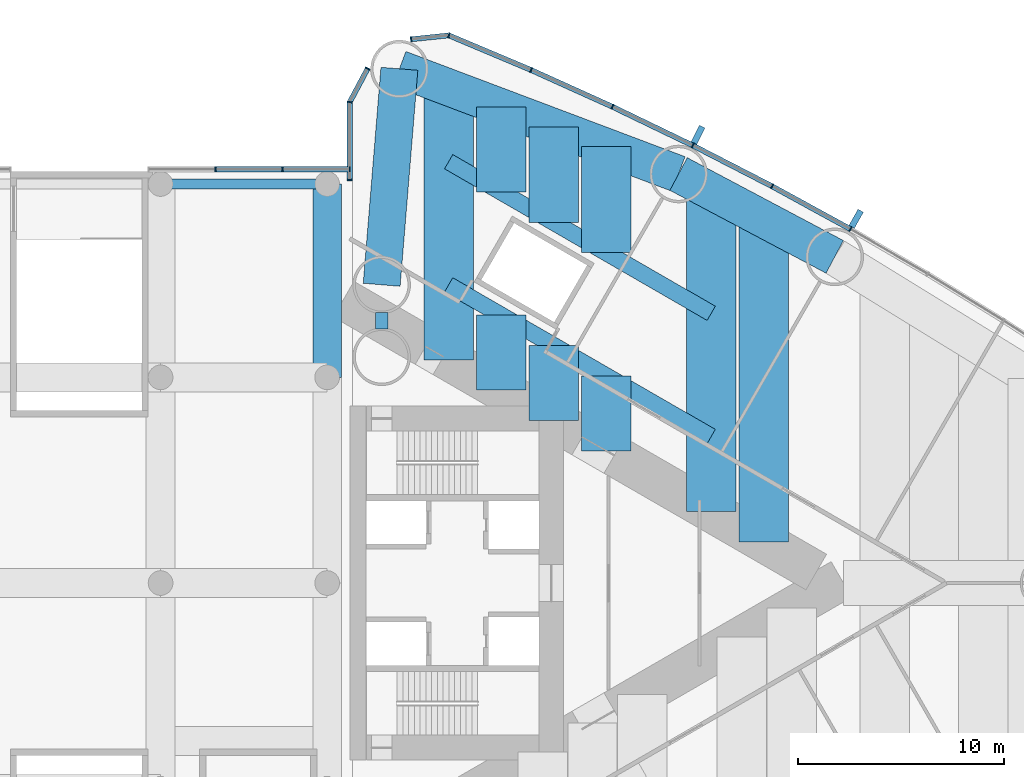
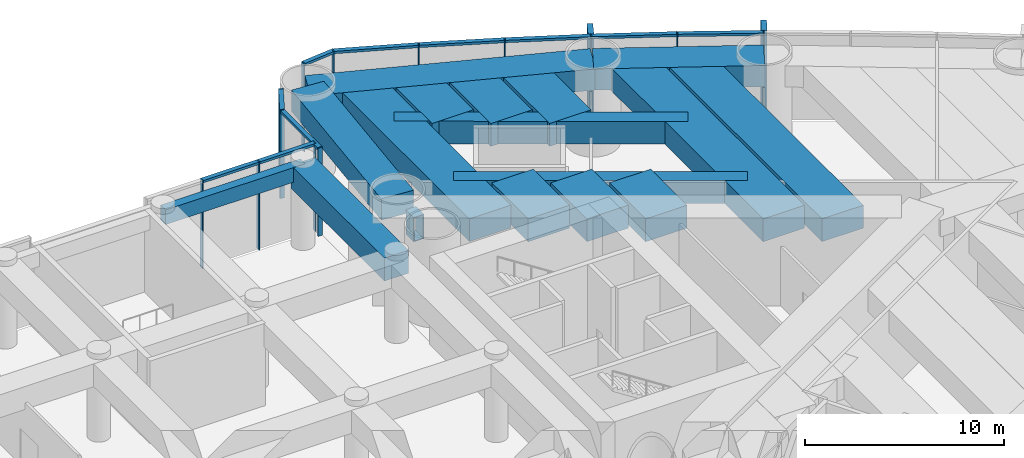
# One storey, part 10 of 20: 25 members, 17 beams, 3 elements without a shape of their own.
"""IFC4 building model written with IfcOpenShell, lengths in metres."""

from ifc_helpers import new_model, si_unit, direction, frame, origin, origin_2d, place, context, subcontext, project, spatial, rectangle, hollow_rectangle, extrude, material, material_profile, profile_set, type_object, element, aggregate, save


model = new_model("IFC4")

# Units and contexts
model_context = context("Model", 3, precision=1e-05, world=origin(), true_north=direction((0.0, 1.0)))
body_context = subcontext(model_context, "Body", "Model", "MODEL_VIEW")
ifc_project = project(units=[si_unit("LENGTHUNIT", "METRE"), si_unit("AREAUNIT", "SQUARE_METRE"), si_unit("VOLUMEUNIT", "CUBIC_METRE"), si_unit("PLANEANGLEUNIT", "RADIAN"), si_unit("MASSUNIT", "GRAM", prefix="KILO")], contexts=[model_context])

# Site, building, storey
site_placement = place(None, origin())
site = spatial("IfcSite", under=ifc_project, at=site_placement, CompositionType="ELEMENT")
building_placement = place(site_placement, origin())
building = spatial("IfcBuilding", under=site, at=building_placement, Name="Lancet Gate Hotel", CompositionType="ELEMENT")
storey_placement = place(building_placement, frame((0.0, 0.0, 7.199951171875)))
storey = spatial("IfcBuildingStorey", under=building, at=storey_placement, Name="L01", CompositionType="ELEMENT", Elevation=7.199951171875)

# Curtain wall, members
ifc_material_1 = material(Name="Aluminium curtain wall", Category="aluminium")
curtain_wall_type = type_object("IfcCurtainWallType", Name="Podium curtain wall", PredefinedType="USERDEFINED", material=ifc_material_1)
curtain_wall_1_placement = place(storey_placement, origin())
curtain_wall_1 = element("IfcCurtainWall", 1, at=curtain_wall_1_placement, inside=storey, type_object=curtain_wall_type, Name="T2 L01 curtain wall 3", ObjectType="UNITISED CURTAIN WALL", PredefinedType="USERDEFINED")
ifc_material_2 = material(Name="Aluminium mullion", Category="aluminium")
ifc_material_profile_1 = material_profile(ifc_material_2, rectangle(XDim=0.06494140625, YDim=0.25, at=origin_2d()), Name="MULLION 65x250")
ifc_profile_set_1 = profile_set([ifc_material_profile_1], Name="Aluminium mullion")
member_type_1 = type_object("IfcMemberType", Name="Aluminium mullion 65x250", PredefinedType="MULLION", material=ifc_profile_set_1)
member_1_placement = place(storey_placement, frame((51.838623046875, 17.208740234375, 0.0), z_axis=(0.0, 0.0, 1.0), x_axis=(-0.871190450382, 0.490945209941, 0.0)))
member_1 = element("IfcMember", 2, at=member_1_placement, type_object=member_type_1, Name="T2 L01 curtain wall 3 mullion 8", PredefinedType="MULLION", context=body_context, shape_type="SweptSolid", body=[
    extrude(rectangle(XDim=0.06494140625, YDim=0.25, at=origin_2d()), origin(), (0.0, 0.0, 1.0), 5.400146484375),
])
member_2_placement = place(storey_placement, frame((48.03271484375, 19.2900390625, 0.0), z_axis=(0.0, 0.0, 1.0), x_axis=(-0.88340346743, 0.468613181347, 0.0)))
member_2 = element("IfcMember", 3, at=member_2_placement, type_object=member_type_1, Name="T2 L01 curtain wall 3 mullion 9", PredefinedType="MULLION", context=body_context, shape_type="SweptSolid", body=[
    extrude(rectangle(XDim=0.06494140625, YDim=0.25, at=origin_2d()), origin(), (0.0, 0.0, 1.0), 5.400146484375),
])
member_3_placement = place(storey_placement, frame((44.17529296875, 21.273681640625, 0.0), z_axis=(0.0, 0.0, 1.0), x_axis=(-0.895044147438, 0.445977548917, 0.0)))
member_3 = element("IfcMember", 4, at=member_3_placement, type_object=member_type_1, Name="T2 L01 curtain wall 3 mullion 10", PredefinedType="MULLION", context=body_context, shape_type="SweptSolid", body=[
    extrude(rectangle(XDim=0.06494140625, YDim=0.25, at=origin_2d()), origin(), (0.0, 0.0, 1.0), 5.400146484375),
])
member_4_placement = place(storey_placement, frame((40.2685546875, 23.15869140625, 0.0), z_axis=(0.0, 0.0, 1.0), x_axis=(-0.906104948671, 0.423052977762, 0.0)))
member_4 = element("IfcMember", 5, at=member_4_placement, type_object=member_type_1, Name="T2 L01 curtain wall 3 mullion 11", PredefinedType="MULLION", context=body_context, shape_type="SweptSolid", body=[
    extrude(rectangle(XDim=0.06494140625, YDim=0.25, at=origin_2d()), origin(), (0.0, 0.0, 1.0), 5.400146484375),
])
member_5_placement = place(storey_placement, frame((36.31494140625, 24.943603515625, 0.0), z_axis=(0.0, 0.0, 1.0), x_axis=(-0.916578705089, 0.399854320193, 0.0)))
member_5 = element("IfcMember", 6, at=member_5_placement, type_object=member_type_1, Name="T2 L01 curtain wall 3 mullion 12", PredefinedType="MULLION", context=body_context, shape_type="SweptSolid", body=[
    extrude(rectangle(XDim=0.06494140625, YDim=0.25, at=origin_2d()), origin(), (0.0, 0.0, 1.0), 5.400146484375),
])
member_6_placement = place(storey_placement, frame((32.3173828125, 26.62744140625, 0.0), z_axis=(0.0, 0.0, 1.0), x_axis=(-0.968721492963, 0.248150496819, 0.0)))
member_6 = element("IfcMember", 7, at=member_6_placement, type_object=member_type_1, Name="T2 L01 curtain wall 3 mullion 13", PredefinedType="MULLION", context=body_context, shape_type="SweptSolid", body=[
    extrude(rectangle(XDim=0.06494140625, YDim=0.25, at=origin_2d()), origin(), (0.0, 0.0, 1.0), 5.400146484375),
])
member_7_placement = place(storey_placement, frame((30.48388671875, 26.4375, 0.0), z_axis=(0.0, 0.0, 1.0), x_axis=(-0.994672262412, -0.10308778001, 0.0)))
member_7 = element("IfcMember", 8, at=member_7_placement, type_object=member_type_1, Name="T2 L01 curtain wall 3 mullion 14", PredefinedType="MULLION", context=body_context, shape_type="SweptSolid", body=[
    extrude(rectangle(XDim=0.06494140625, YDim=0.25, at=origin_2d()), origin(), (0.0, 0.0, 1.0), 5.400146484375),
])

curtain_wall_2_placement = place(storey_placement, origin())
curtain_wall_2 = element("IfcCurtainWall", 9, at=curtain_wall_2_placement, inside=storey, type_object=curtain_wall_type, Name="T2 L01 curtain wall 4", ObjectType="UNITISED CURTAIN WALL", PredefinedType="USERDEFINED")
member_8_placement = place(storey_placement, frame((28.366455078125, 25.012451171875, 0.0), z_axis=(0.0, 0.0, 1.0), x_axis=(-0.469897827284, -0.882720811987, 0.0)))
member_8 = element("IfcMember", 10, at=member_8_placement, type_object=member_type_1, Name="T2 L01 curtain wall 4 mullion 1", PredefinedType="MULLION", context=body_context, shape_type="SweptSolid", body=[
    extrude(rectangle(XDim=0.06494140625, YDim=0.25, at=origin_2d()), origin(), (0.0, 0.0, 1.0), 5.400146484375),
])
member_9_placement = place(storey_placement, frame((27.5, 23.384765625, 0.0), z_axis=(0.0, 0.0, 1.0), x_axis=(-0.157751691459, -0.987478811844, 0.0)))
member_9 = element("IfcMember", 11, at=member_9_placement, type_object=member_type_1, Name="T2 L01 curtain wall 4 mullion 2", PredefinedType="MULLION", context=body_context, shape_type="SweptSolid", body=[
    extrude(rectangle(XDim=0.06494140625, YDim=0.25, at=origin_2d()), origin(), (0.0, 0.0, 1.0), 5.400146484375),
])
member_10_placement = place(storey_placement, frame((27.5, 19.588623046875, 0.0), z_axis=(0.0, 0.0, 1.0), x_axis=(0.0, -1.0, 0.0)))
member_10 = element("IfcMember", 12, at=member_10_placement, type_object=member_type_1, Name="T2 L01 curtain wall 4 mullion 3", PredefinedType="MULLION", context=body_context, shape_type="SweptSolid", body=[
    extrude(rectangle(XDim=0.06494140625, YDim=0.25, at=origin_2d()), origin(), (0.0, 0.0, 1.0), 5.400146484375),
])

curtain_wall_3_placement = place(storey_placement, origin())
curtain_wall_3 = element("IfcCurtainWall", 13, at=curtain_wall_3_placement, inside=storey, type_object=curtain_wall_type, Name="Podium L01 curtain wall N3", ObjectType="UNITISED CURTAIN WALL", PredefinedType="USERDEFINED")
member_11_placement = place(storey_placement, frame((27.5, 20.1201171875, 0.0), z_axis=(0.0, 0.0, 1.0), x_axis=(-1.0, 0.0, 0.0)))
member_11 = element("IfcMember", 14, at=member_11_placement, type_object=member_type_1, Name="Podium L01 curtain wall N3 mullion 1", PredefinedType="MULLION", context=body_context, shape_type="SweptSolid", body=[
    extrude(rectangle(XDim=0.06494140625, YDim=0.25, at=origin_2d()), origin(), (0.0, 0.0, 1.0), 5.400146484375),
])
member_12_placement = place(storey_placement, frame((24.2333984375, 20.1201171875, 0.0), z_axis=(0.0, 0.0, 1.0), x_axis=(-1.0, 0.0, 0.0)))
member_12 = element("IfcMember", 15, at=member_12_placement, type_object=member_type_1, Name="Podium L01 curtain wall N3 mullion 2", PredefinedType="MULLION", context=body_context, shape_type="SweptSolid", body=[
    extrude(rectangle(XDim=0.06494140625, YDim=0.25, at=origin_2d()), origin(), (0.0, 0.0, 1.0), 5.400146484375),
])
member_13_placement = place(storey_placement, frame((20.966552734375, 20.1201171875, 0.0), z_axis=(0.0, 0.0, 1.0), x_axis=(-1.0, 0.0, 0.0)))
member_13 = element("IfcMember", 16, at=member_13_placement, type_object=member_type_1, Name="Podium L01 curtain wall N3 mullion 3", PredefinedType="MULLION", context=body_context, shape_type="SweptSolid", body=[
    extrude(rectangle(XDim=0.06494140625, YDim=0.25, at=origin_2d()), origin(), (0.0, 0.0, 1.0), 5.400146484375),
])

# Member
ifc_material_3 = material(Name="Aluminium transom", Category="aluminium")
ifc_material_profile_2 = material_profile(ifc_material_3, rectangle(XDim=0.25, YDim=0.14990234375, at=origin_2d()), Name="TRANSOM 250x150")
ifc_profile_set_2 = profile_set([ifc_material_profile_2], Name="Aluminium transom")
member_type_2 = type_object("IfcMemberType", Name="Aluminium transom 250x150", PredefinedType="USERDEFINED", material=ifc_profile_set_2)
member_14_placement = place(storey_placement, frame((51.81005859375, 17.224365234375, 5.324951171875), z_axis=(-0.877377528879, 0.479800658417, 0.0), x_axis=(-0.479800658417, -0.877377528879, 0.0)))
member_14 = element("IfcMember", 17, at=member_14_placement, type_object=member_type_2, Name="T2 L01 curtain wall 3 transom 8", ObjectType="TRANSOM", PredefinedType="USERDEFINED", context=body_context, shape_type="SweptSolid", body=[
    extrude(rectangle(XDim=0.25, YDim=0.14990234375, at=origin_2d()), origin(), (0.0, 0.0, 1.0), 4.272705078125),
])

member_15_placement = place(storey_placement, frame((48.00390625, 19.304931640625, 5.324951171875), z_axis=(-0.88929576978, 0.457332520002, 0.0), x_axis=(-0.457332520002, -0.88929576978, 0.0)))
member_15 = element("IfcMember", 18, at=member_15_placement, type_object=member_type_2, Name="T2 L01 curtain wall 3 transom 9", ObjectType="TRANSOM", PredefinedType="USERDEFINED", context=body_context, shape_type="SweptSolid", body=[
    extrude(rectangle(XDim=0.25, YDim=0.14990234375, at=origin_2d()), origin(), (0.0, 0.0, 1.0), 4.272705078125),
])

member_16_placement = place(storey_placement, frame((44.14599609375, 21.287841796875, 5.324951171875), z_axis=(-0.900646499888, 0.434552508035, 0.0), x_axis=(-0.434552508035, -0.900646499888, 0.0)))
member_16 = element("IfcMember", 19, at=member_16_placement, type_object=member_type_2, Name="T2 L01 curtain wall 3 transom 10", ObjectType="TRANSOM", PredefinedType="USERDEFINED", context=body_context, shape_type="SweptSolid", body=[
    extrude(rectangle(XDim=0.25, YDim=0.14990234375, at=origin_2d()), origin(), (0.0, 0.0, 1.0), 4.272705078125),
])

member_17_placement = place(storey_placement, frame((40.23876953125, 23.172119140625, 5.324951171875), z_axis=(-0.911396871737, 0.411528543589, 0.0), x_axis=(-0.411528543589, -0.911396871737, 0.0)))
member_17 = element("IfcMember", 20, at=member_17_placement, type_object=member_type_2, Name="T2 L01 curtain wall 3 transom 11", ObjectType="TRANSOM", PredefinedType="USERDEFINED", context=body_context, shape_type="SweptSolid", body=[
    extrude(rectangle(XDim=0.25, YDim=0.14990234375, at=origin_2d()), origin(), (0.0, 0.0, 1.0), 4.272705078125),
])

member_18_placement = place(storey_placement, frame((36.28515625, 24.956298828125, 5.324951171875), z_axis=(-0.92159772617, 0.388146404233, 0.0), x_axis=(-0.388146404233, -0.92159772617, 0.0)))
member_18 = element("IfcMember", 21, at=member_18_placement, type_object=member_type_2, Name="T2 L01 curtain wall 3 transom 12", ObjectType="TRANSOM", PredefinedType="USERDEFINED", context=body_context, shape_type="SweptSolid", body=[
    extrude(rectangle(XDim=0.25, YDim=0.14990234375, at=origin_2d()), origin(), (0.0, 0.0, 1.0), 4.272705078125),
])

member_19_placement = place(storey_placement, frame((32.28515625, 26.6240234375, 5.324951171875), z_axis=(-0.994670452051, -0.103105246306, 0.0), x_axis=(0.103105246306, -0.994670452051, 0.0)))
member_19 = element("IfcMember", 22, at=member_19_placement, type_object=member_type_2, Name="T2 L01 curtain wall 3 transom 13", ObjectType="TRANSOM", PredefinedType="USERDEFINED", context=body_context, shape_type="SweptSolid", body=[
    extrude(rectangle(XDim=0.25, YDim=0.14990234375, at=origin_2d()), origin(), (0.0, 0.0, 1.0), 1.7783203125),
])

member_20_placement = place(storey_placement, frame((28.351318359375, 24.98388671875, 5.324951171875), z_axis=(-0.469904276347, -0.882717378933, 0.0), x_axis=(0.882717378933, -0.469904276347, 0.0)))
member_20 = element("IfcMember", 23, at=member_20_placement, type_object=member_type_2, Name="T2 L01 curtain wall 4 transom 1", ObjectType="TRANSOM", PredefinedType="USERDEFINED", context=body_context, shape_type="SweptSolid", body=[
    extrude(rectangle(XDim=0.25, YDim=0.14990234375, at=origin_2d()), origin(), (0.0, 0.0, 1.0), 1.779052734375),
])

member_21_placement = place(storey_placement, frame((27.5, 23.352294921875, 5.324951171875), z_axis=(0.0, -1.0, 0.0), x_axis=(1.0, 0.0, 0.0)))
member_21 = element("IfcMember", 24, at=member_21_placement, type_object=member_type_2, Name="T2 L01 curtain wall 4 transom 2", ObjectType="TRANSOM", PredefinedType="USERDEFINED", context=body_context, shape_type="SweptSolid", body=[
    extrude(rectangle(XDim=0.25, YDim=0.14990234375, at=origin_2d()), origin(), (0.0, 0.0, 1.0), 3.731201171875),
])

aggregate(curtain_wall_2, [member_8, member_9, member_10, member_20, member_21])

member_22_placement = place(storey_placement, frame((27.467529296875, 20.1201171875, 5.324951171875), z_axis=(-1.0, 0.0, 0.0), x_axis=(0.0, -1.0, 0.0)))
member_22 = element("IfcMember", 25, at=member_22_placement, type_object=member_type_2, Name="Podium L01 curtain wall N3 transom 1", ObjectType="TRANSOM", PredefinedType="USERDEFINED", context=body_context, shape_type="SweptSolid", body=[
    extrude(rectangle(XDim=0.25, YDim=0.14990234375, at=origin_2d()), origin(), (0.0, 0.0, 1.0), 3.20166015625),
])

member_23_placement = place(storey_placement, frame((24.200927734375, 20.1201171875, 5.324951171875), z_axis=(-1.0, 0.0, 0.0), x_axis=(0.0, -1.0, 0.0)))
member_23 = element("IfcMember", 26, at=member_23_placement, type_object=member_type_2, Name="Podium L01 curtain wall N3 transom 2", ObjectType="TRANSOM", PredefinedType="USERDEFINED", context=body_context, shape_type="SweptSolid", body=[
    extrude(rectangle(XDim=0.25, YDim=0.14990234375, at=origin_2d()), origin(), (0.0, 0.0, 1.0), 3.20166015625),
])

aggregate(curtain_wall_3, [member_11, member_12, member_13, member_22, member_23])

# Beams
ifc_material_4 = material(Name="Concrete C50/60", Category="concrete")
ifc_material_profile_3 = material_profile(ifc_material_4, rectangle(XDim=1.800048828125, YDim=1.300048828125, at=origin_2d()), Name="RC 1800x1300")
ifc_profile_set_3 = profile_set([ifc_material_profile_3], Name="Concrete C50/60")
beam_type_1 = type_object("IfcBeamType", Name="Edge beam RC 1800x1300", PredefinedType="SPANDREL", material=ifc_profile_set_3)
beam_1_placement = place(storey_placement, frame((51.07763671875, 15.8583984375, 4.400146484375), z_axis=(-0.883403493655, 0.46861313191, 0.0), x_axis=(-0.46861313191, -0.883403493655, 0.0)))
element("IfcBeam", 27, at=beam_1_placement, inside=storey, type_object=beam_type_1, Name="T2 edge beam EB1 L01", PredefinedType="SPANDREL", context=body_context, shape_type="SweptSolid", body=[
    extrude(rectangle(XDim=1.800048828125, YDim=1.300048828125, at=origin_2d()), origin(), (0.0, 0.0, 1.0), 8.595703125),
])
beam_2_placement = place(storey_placement, frame((43.484130859375, 19.886474609375, 4.400146484375), z_axis=(-0.935736448066, 0.352700013836, 0.0), x_axis=(-0.352700013836, -0.935736448066, 0.0)))
element("IfcBeam", 28, at=beam_2_placement, inside=storey, type_object=beam_type_1, Name="T2 edge beam EB1 L01", PredefinedType="SPANDREL", context=body_context, shape_type="SweptSolid", body=[
    extrude(rectangle(XDim=1.800048828125, YDim=1.300048828125, at=origin_2d()), origin(), (0.0, 0.0, 1.0), 14.505126953125),
])
beam_3_placement = place(storey_placement, frame((29.050048828125, 14.5, 4.400146484375), z_axis=(0.081714744052, 0.996655758326, 0.0), x_axis=(-0.996655758326, 0.081714744052, 0.0)))
element("IfcBeam", 29, at=beam_3_placement, inside=storey, type_object=beam_type_1, Name="T2 edge beam EB1 L01", PredefinedType="SPANDREL", context=body_context, shape_type="SweptSolid", body=[
    extrude(rectangle(XDim=1.800048828125, YDim=1.300048828125, at=origin_2d()), origin(), (0.0, 0.0, 1.0), 10.53759765625),
])

# Member
ifc_material_5 = material(Name="Precast concrete C50/60", Category="concrete")
ifc_material_profile_4 = material_profile(ifc_material_5, rectangle(XDim=0.300048828125, YDim=0.89990234375, at=origin_2d()), Name="FIN 300x900")
ifc_profile_set_4 = profile_set([ifc_material_profile_4], Name="Precast concrete C50/60")
member_type_3 = type_object("IfcMemberType", Name="Exposed concrete fin 300x900", PredefinedType="USERDEFINED", material=ifc_profile_set_4)
member_24_placement = place(storey_placement, frame((52.120849609375, 17.709716796875, 0.0), z_axis=(0.0, 0.0, 1.0), x_axis=(-0.871190450382, 0.490945209941, 0.0)))
member_24 = element("IfcMember", 30, at=member_24_placement, type_object=member_type_3, Name="T2 L01 curtain wall 3 fin 8", ObjectType="FIN", PredefinedType="USERDEFINED", context=body_context, shape_type="SweptSolid", body=[
    extrude(rectangle(XDim=0.300048828125, YDim=0.89990234375, at=origin_2d()), origin(), (0.0, 0.0, 1.0), 5.400146484375),
])

member_25_placement = place(storey_placement, frame((44.431640625, 21.788330078125, 0.0), z_axis=(0.0, 0.0, 1.0), x_axis=(-0.895044147438, 0.445977548917, 0.0)))
member_25 = element("IfcMember", 31, at=member_25_placement, type_object=member_type_3, Name="T2 L01 curtain wall 3 fin 10", ObjectType="FIN", PredefinedType="USERDEFINED", context=body_context, shape_type="SweptSolid", body=[
    extrude(rectangle(XDim=0.300048828125, YDim=0.89990234375, at=origin_2d()), origin(), (0.0, 0.0, 1.0), 5.400146484375),
])

aggregate(curtain_wall_1, [member_1, member_24, member_2, member_3, member_25, member_4, member_5, member_6, member_7, member_14, member_15, member_16, member_17, member_18, member_19])

# Beams
ifc_material_6 = material(Name="Concrete C50/60", Category="concrete")
ifc_material_profile_5 = material_profile(ifc_material_6, rectangle(XDim=2.39990234375, YDim=1.39990234375, at=origin_2d()), Name="RC 2400x1400")
ifc_profile_set_5 = profile_set([ifc_material_profile_5], Name="Concrete C50/60")
beam_type_2 = type_object("IfcBeamType", Name="Floor beam RC 2400x1400", PredefinedType="BEAM", material=ifc_profile_set_5)
beam_4_placement = place(storey_placement, frame((32.306396484375, 10.851806640625, 4.35009765625), z_axis=(0.0, 1.0, 0.0), x_axis=(-1.0, 0.0, 0.0)))
element("IfcBeam", 32, at=beam_4_placement, inside=storey, type_object=beam_type_2, Name="T2 floor beam F04N L01", PredefinedType="BEAM", context=body_context, shape_type="SweptSolid", body=[
    extrude(rectangle(XDim=2.39990234375, YDim=1.39990234375, at=origin_2d()), origin(), (0.0, 0.0, 1.0), 13.247802734375),
])
beam_5_placement = place(storey_placement, frame((45.072265625, 3.4814453125, 4.35009765625), z_axis=(0.0, 1.0, 0.0), x_axis=(-1.0, 0.0, 0.0)))
element("IfcBeam", 33, at=beam_5_placement, inside=storey, type_object=beam_type_2, Name="T2 floor beam F12N L01", PredefinedType="BEAM", context=body_context, shape_type="SweptSolid", body=[
    extrude(rectangle(XDim=2.39990234375, YDim=1.39990234375, at=origin_2d()), origin(), (0.0, 0.0, 1.0), 15.5625),
])
beam_6_placement = place(storey_placement, frame((47.62548828125, 2.00732421875, 4.35009765625), z_axis=(0.0, 1.0, 0.0), x_axis=(-1.0, 0.0, 0.0)))
element("IfcBeam", 34, at=beam_6_placement, inside=storey, type_object=beam_type_2, Name="T2 floor beam F14N L01", PredefinedType="BEAM", context=body_context, shape_type="SweptSolid", body=[
    extrude(rectangle(XDim=2.39990234375, YDim=1.39990234375, at=origin_2d()), origin(), (0.0, 0.0, 1.0), 15.68212890625),
])
beam_7_placement = place(storey_placement, frame((34.859619140625, 9.377685546875, 4.35009765625), z_axis=(0.0, 1.0, 0.0), x_axis=(-1.0, 0.0, 0.0)))
element("IfcBeam", 35, at=beam_7_placement, inside=storey, type_object=beam_type_2, Name="T2 floor beam F06NA L01", PredefinedType="BEAM", context=body_context, shape_type="SweptSolid", body=[
    extrude(rectangle(XDim=2.39990234375, YDim=1.39990234375, at=origin_2d()), origin(), (0.0, 0.0, 1.0), 3.645751953125),
])
beam_8_placement = place(storey_placement, frame((34.859619140625, 19.011474609375, 4.35009765625), z_axis=(0.0, 1.0, 0.0), x_axis=(-1.0, 0.0, 0.0)))
element("IfcBeam", 36, at=beam_8_placement, inside=storey, type_object=beam_type_2, Name="T2 floor beam F06NB L01", PredefinedType="BEAM", context=body_context, shape_type="SweptSolid", body=[
    extrude(rectangle(XDim=2.39990234375, YDim=1.39990234375, at=origin_2d()), origin(), (0.0, 0.0, 1.0), 4.125732421875),
])
beam_9_placement = place(storey_placement, frame((37.412841796875, 7.903564453125, 4.35009765625), z_axis=(0.0, 1.0, 0.0), x_axis=(-1.0, 0.0, 0.0)))
element("IfcBeam", 37, at=beam_9_placement, inside=storey, type_object=beam_type_2, Name="T2 floor beam F08NA L01", PredefinedType="BEAM", context=body_context, shape_type="SweptSolid", body=[
    extrude(rectangle(XDim=2.39990234375, YDim=1.39990234375, at=origin_2d()), origin(), (0.0, 0.0, 1.0), 3.6455078125),
])
beam_10_placement = place(storey_placement, frame((37.412841796875, 17.537109375, 4.35009765625), z_axis=(0.0, 1.0, 0.0), x_axis=(-1.0, 0.0, 0.0)))
element("IfcBeam", 38, at=beam_10_placement, inside=storey, type_object=beam_type_2, Name="T2 floor beam F08NB L01", PredefinedType="BEAM", context=body_context, shape_type="SweptSolid", body=[
    extrude(rectangle(XDim=2.39990234375, YDim=1.39990234375, at=origin_2d()), origin(), (0.0, 0.0, 1.0), 4.6376953125),
])
beam_11_placement = place(storey_placement, frame((39.9658203125, 6.429443359375, 4.35009765625), z_axis=(0.0, 1.0, 0.0), x_axis=(-1.0, 0.0, 0.0)))
element("IfcBeam", 39, at=beam_11_placement, inside=storey, type_object=beam_type_2, Name="T2 floor beam F10NA L01", PredefinedType="BEAM", context=body_context, shape_type="SweptSolid", body=[
    extrude(rectangle(XDim=2.39990234375, YDim=1.39990234375, at=origin_2d()), origin(), (0.0, 0.0, 1.0), 3.64501953125),
])
beam_12_placement = place(storey_placement, frame((39.9658203125, 16.062744140625, 4.35009765625), z_axis=(0.0, 1.0, 0.0), x_axis=(-1.0, 0.0, 0.0)))
element("IfcBeam", 40, at=beam_12_placement, inside=storey, type_object=beam_type_2, Name="T2 floor beam F10NB L01", PredefinedType="BEAM", context=body_context, shape_type="SweptSolid", body=[
    extrude(rectangle(XDim=2.39990234375, YDim=1.39990234375, at=origin_2d()), origin(), (0.0, 0.0, 1.0), 5.14990234375),
])
ifc_material_7 = material(Name="Steel S460QL", Category="steel")
ifc_material_profile_6 = material_profile(ifc_material_7, hollow_rectangle(XDim=0.60009765625, YDim=1.5, WallThickness=0.050048828125, at=origin_2d()), Name="BOX 1500x600x50")
ifc_profile_set_6 = profile_set([ifc_material_profile_6], Name="Steel S460QL")
beam_type_3 = type_object("IfcBeamType", Name="Inner-face link beam BOX 1500x600x50", PredefinedType="BEAM", material=ifc_profile_set_6)
beam_13_placement = place(storey_placement, frame((29.050048828125, 12.35009765625, 4.300048828125), z_axis=(0.0, 1.0, 0.0), x_axis=(-1.0, 0.0, 0.0)))
element("IfcBeam", 41, at=beam_13_placement, inside=storey, type_object=beam_type_3, Name="T2 inner-face link beam LK1 L01", PredefinedType="BEAM", context=body_context, shape_type="SweptSolid", body=[
    extrude(hollow_rectangle(XDim=0.60009765625, YDim=1.5, WallThickness=0.050048828125, at=origin_2d()), origin(), (0.0, 0.0, 1.0), 0.7998046875),
])
ifc_material_8 = material(Name="Concrete C50/60", Category="concrete")
ifc_material_profile_7 = material_profile(ifc_material_8, rectangle(XDim=1.39990234375, YDim=1.39990234375, at=origin_2d()), Name="RC 1400x1400")
ifc_profile_set_7 = profile_set([ifc_material_profile_7], Name="Concrete C50/60")
beam_type_4 = type_object("IfcBeamType", Name="Podium beam RC 1400x1400", PredefinedType="BEAM", material=ifc_profile_set_7)
beam_14_placement = place(storey_placement, frame((26.39990234375, 10.0, 4.35009765625), z_axis=(0.0, 1.0, 0.0), x_axis=(-1.0, 0.0, 0.0)))
element("IfcBeam", 42, at=beam_14_placement, inside=storey, type_object=beam_type_4, Name="Podium beam 7/D-E L01", PredefinedType="BEAM", context=body_context, shape_type="SweptSolid", body=[
    extrude(rectangle(XDim=1.39990234375, YDim=1.39990234375, at=origin_2d()), origin(), (0.0, 0.0, 1.0), 9.39990234375),
])
ifc_material_9 = material(Name="Concrete C50/60", Category="concrete")
ifc_material_profile_8 = material_profile(ifc_material_9, rectangle(XDim=0.5, YDim=0.89990234375, at=origin_2d()), Name="RC 500x900")
ifc_profile_set_8 = profile_set([ifc_material_profile_8], Name="Concrete C50/60")
beam_type_5 = type_object("IfcBeamType", Name="Podium edge beam RC 500x900", PredefinedType="BEAM", material=ifc_profile_set_8)
beam_15_placement = place(storey_placement, frame((18.300048828125, 19.39990234375, 4.60009765625), z_axis=(1.0, 0.0, 0.0), x_axis=(0.0, 1.0, 0.0)))
element("IfcBeam", 43, at=beam_15_placement, inside=storey, type_object=beam_type_5, Name="Podium beam E/6-7 L01", PredefinedType="BEAM", context=body_context, shape_type="SweptSolid", body=[
    extrude(rectangle(XDim=0.5, YDim=0.89990234375, at=origin_2d()), origin(), (0.0, 0.0, 1.0), 8.099853515625),
])
ifc_material_10 = material(Name="Steel S460QL", Category="steel")
ifc_material_profile_9 = material_profile(ifc_material_10, hollow_rectangle(XDim=0.800048828125, YDim=1.39990234375, WallThickness=0.080078125, at=origin_2d()), Name="BOX 1400x800x80")
ifc_profile_set_9 = profile_set([ifc_material_profile_9], Name="Steel S460QL")
beam_type_6 = type_object("IfcBeamType", Name="Trimmer beam BOX 1400x800x80", PredefinedType="BEAM", material=ifc_profile_set_9)
beam_16_placement = place(storey_placement, frame((32.306396484375, 20.48583984375, 4.35009765625), z_axis=(0.86598286195, -0.500073677381, 0.0), x_axis=(0.500073677381, 0.86598286195, 0.0)))
element("IfcBeam", 44, at=beam_16_placement, inside=storey, type_object=beam_type_6, Name="T2 trimmer beam TR03N L01", PredefinedType="BEAM", context=body_context, shape_type="SweptSolid", body=[
    extrude(hollow_rectangle(XDim=0.800048828125, YDim=1.39990234375, WallThickness=0.080078125, at=origin_2d()), origin(), (0.0, 0.0, 1.0), 14.741455078125),
])
beam_17_placement = place(storey_placement, frame((32.306396484375, 14.497802734375, 4.35009765625), z_axis=(0.865975689888, -0.500086097111, 0.0), x_axis=(0.500086097111, 0.865975689888, 0.0)))
element("IfcBeam", 45, at=beam_17_placement, inside=storey, type_object=beam_type_6, Name="T2 trimmer beam TR04N L01", PredefinedType="BEAM", context=body_context, shape_type="SweptSolid", body=[
    extrude(hollow_rectangle(XDim=0.800048828125, YDim=1.39990234375, WallThickness=0.080078125, at=origin_2d()), origin(), (0.0, 0.0, 1.0), 14.74169921875),
])

save(model, "model.ifc")
